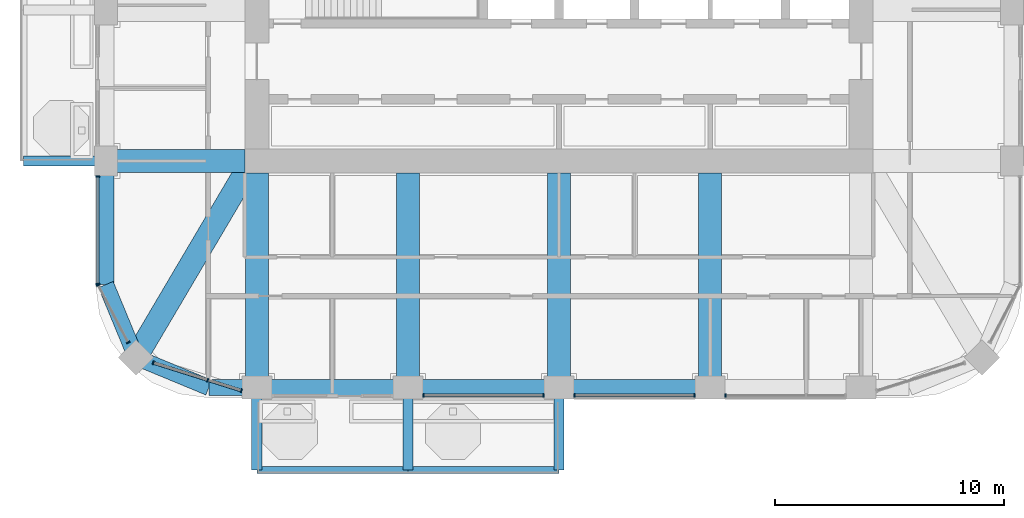
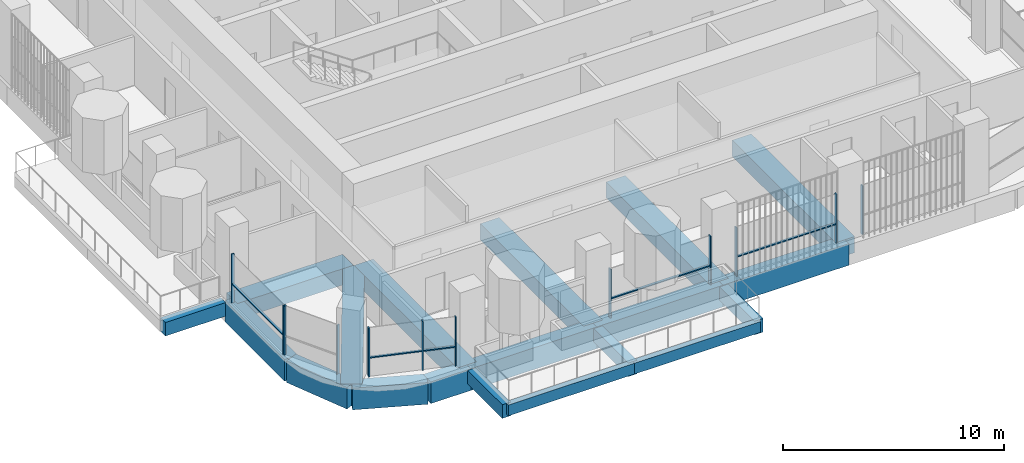
# One storey, part 2 of 19: 19 beams, 17 members, 6 elements without a shape of their own.
"""IFC4 building model written with IfcOpenShell, lengths in metres."""

import ifcopenshell
import ifcopenshell.guid

model = None  # the IFC model being written
_history = None  # IfcOwnerHistory: only IFC2X3 demands one
_inside = {}  # id of a spatial element -> (the spatial element, [elements in it])
_under = {}  # id of a project, library or spatial element -> (it, [spatial elements below it])
_declared = {}  # id of a project -> (the project, [libraries it declares])
_typed = {}  # id of a type object -> (the type object, [elements of that type])
_made_of = {}  # id of a material, layer set ... -> (it, [elements and type objects made of it])


def new_model(schema):
    """Start an empty IFC model of exactly this schema.

    Asked for "IFC4X3", IfcOpenShell would pick the latest addendum, in which some entities
    have other attributes; the version numbers below select the first issue.
    IFC2X3 requires an IfcOwnerHistory on every rooted entity: one is made here for all.
    """
    global model, _history
    if schema == "IFC4X3":
        model = ifcopenshell.file(schema_version=(4, 3, 0, 0))
    else:
        model = ifcopenshell.file(schema=schema)
    _inside.clear()
    _under.clear()
    _declared.clear()
    _typed.clear()
    _made_of.clear()
    _history = None
    if model.schema == "IFC2X3":
        org = make("IfcOrganization", Name="unknown")
        user = make(
            "IfcPersonAndOrganization",
            ThePerson=make("IfcPerson", FamilyName="unknown"),
            TheOrganization=org,
        )
        app = make(
            "IfcApplication",
            ApplicationDeveloper=org,
            Version="unknown",
            ApplicationFullName="unknown",
            ApplicationIdentifier="unknown",
        )
        _history = make(
            "IfcOwnerHistory",
            OwningUser=user,
            OwningApplication=app,
            ChangeAction="ADDED",
            CreationDate=0,
        )
    return model


def make(cls, **values):
    """One entity of the class cls with the attributes given. An attribute that is None is left unset."""
    return model.create_entity(
        cls, **{name: value for name, value in values.items() if value is not None}
    )


def rooted(cls, **values):
    """An entity with a GlobalId (a new one), such as an element, a storey or a relation."""
    return make(cls, GlobalId=ifcopenshell.guid.new(), OwnerHistory=_history, **values)


def si_unit(unit_type, name, prefix=None):
    """IfcSIUnit, for example si_unit("LENGTHUNIT", "METRE", prefix="MILLI")."""
    return make("IfcSIUnit", UnitType=unit_type, Prefix=prefix, Name=name)


def assignment(units):
    """IfcUnitAssignment: the units of a project."""
    return None if units is None else make("IfcUnitAssignment", Units=units)


def point(xyz):
    """IfcCartesianPoint."""
    return None if xyz is None else make("IfcCartesianPoint", Coordinates=xyz)


def direction(xyz):
    """IfcDirection."""
    return None if xyz is None else make("IfcDirection", DirectionRatios=xyz)


def frame(location, z_axis=None, x_axis=None):
    """IfcAxis2Placement3D, a coordinate frame: its origin and axes. An axis left out is left unset."""
    return make(
        "IfcAxis2Placement3D",
        Location=point(location),
        Axis=direction(z_axis),
        RefDirection=direction(x_axis),
    )


def frame_2d(location, x_axis=None):
    """IfcAxis2Placement2D, a coordinate frame in the plane: its origin and x axis."""
    return make(
        "IfcAxis2Placement2D", Location=point(location), RefDirection=direction(x_axis)
    )


def origin():
    """The frame at (0, 0, 0) with its axes left unset."""
    return frame((0.0, 0.0, 0.0))


def origin_2d():
    """The frame at (0, 0) in the plane with its x axis left unset."""
    return frame_2d((0.0, 0.0))


def place(relative_to, where):
    """IfcLocalPlacement: puts the frame where relative to a parent placement (None: the world)."""
    return make(
        "IfcLocalPlacement", PlacementRelTo=relative_to, RelativePlacement=where
    )


def context(
    kind, dimensions, precision=None, world=None, true_north=None, identifier=None
):
    """IfcGeometricRepresentationContext, for example the 3D "Model" context."""
    return make(
        "IfcGeometricRepresentationContext",
        ContextIdentifier=identifier,
        ContextType=kind,
        CoordinateSpaceDimension=dimensions,
        Precision=precision,
        WorldCoordinateSystem=world,
        TrueNorth=true_north,
    )


def subcontext(parent, identifier, kind, view, scale=None):
    """IfcGeometricRepresentationSubContext, for example "Body" below "Model"."""
    return make(
        "IfcGeometricRepresentationSubContext",
        ContextIdentifier=identifier,
        ContextType=kind,
        ParentContext=parent,
        TargetScale=scale,
        TargetView=view,
    )


def project(units=None, contexts=None):
    """IfcProject with its units and contexts."""
    return rooted(
        "IfcProject",
        Name="project",
        RepresentationContexts=contexts,
        UnitsInContext=assignment(units),
    )


def spatial(cls, under=None, at=None, **own):
    """A site, building, storey or space (cls), placed at a placement, below another one or the project."""
    s = rooted(cls, ObjectPlacement=at, **own)
    if under is not None:
        _under.setdefault(under.id(), (under, []))[1].append(s)
    return s


def profile(cls, at=None, kind="AREA", **sizes):
    """A parametric profile (cls). Its sizes go by their IFC names, for example OverallWidth=200.0."""
    return make(cls, ProfileType=kind, Position=at, **sizes)


def rectangle(**sizes):
    """IfcRectangleProfileDef."""
    return profile("IfcRectangleProfileDef", **sizes)


def extrude(swept, where, along, depth):
    """IfcExtrudedAreaSolid: the profile swept, set in the frame where, extruded along a direction by depth."""
    return make(
        "IfcExtrudedAreaSolid",
        SweptArea=swept,
        Position=where,
        ExtrudedDirection=direction(along),
        Depth=depth,
    )


def shape(context_of_items, identifier, shape_type, items):
    """IfcShapeRepresentation: the items that make up one representation, for example the "Body"."""
    return make(
        "IfcShapeRepresentation",
        ContextOfItems=context_of_items,
        RepresentationIdentifier=identifier,
        RepresentationType=shape_type,
        Items=items,
    )


def material(Name=None, Category=None):
    """IfcMaterial."""
    return make("IfcMaterial", Name=Name, Category=Category)


def material_profile(
    of_material, cross_section, Name=None, Category=None, Priority=None
):
    """IfcMaterialProfile: a cross section and its material."""
    return make(
        "IfcMaterialProfile",
        Name=Name,
        Material=of_material,
        Profile=cross_section,
        Priority=Priority,
        Category=Category,
    )


def profile_set(profiles, Name=None, composite=None):
    """IfcMaterialProfileSet."""
    return make(
        "IfcMaterialProfileSet",
        Name=Name,
        MaterialProfiles=profiles,
        CompositeProfile=composite,
    )


def made_of(thing, what):
    """Note that an element or type object is made of a material, layer set ...; save() writes the relation."""
    if what is not None:
        _made_of.setdefault(what.id(), (what, []))[1].append(thing)
    return thing


def type_object(cls, material=None, **own):
    """A type object (cls), such as IfcWallType, which elements share."""
    return made_of(rooted(cls, **own), material)


def element(
    cls,
    number,
    at=None,
    inside=None,
    cuts=None,
    type_object=None,
    material=None,
    context=None,
    identifier="Body",
    shape_type=None,
    held_by="IfcProductDefinitionShape",
    body=None,
    shapes=None,
    **own,
):
    """One element of the class cls, such as IfcWall. Its Tag is "e" and its number.

    at: its placement. inside: the storey or other place that contains it. cuts: it is an
    opening in that element (IfcRelVoidsElement). A single representation is given by context,
    identifier, shape_type and body (its items); several are given by shapes. held_by: the class
    of the entity that holds the representations. save() writes the other relations.
    """
    e = rooted(cls, Tag="e%d" % number, ObjectPlacement=at, **own)
    if body is not None:
        shapes = [shape(context, identifier, shape_type, body)]
    if shapes is not None:
        e.Representation = make(held_by, Representations=shapes)
    if inside is not None:
        _inside.setdefault(inside.id(), (inside, []))[1].append(e)
    if cuts is not None:
        rooted(
            "IfcRelVoidsElement", RelatingBuildingElement=cuts, RelatedOpeningElement=e
        )
    if type_object is not None:
        _typed.setdefault(type_object.id(), (type_object, []))[1].append(e)
    return made_of(e, material)


def aggregate(whole, parts):
    """IfcRelAggregates: a whole, such as a stair, and the parts it consists of."""
    return rooted("IfcRelAggregates", RelatingObject=whole, RelatedObjects=parts)


def save(model, path):
    """Write the relations noted so far, then the file.

    IfcRelAggregates (storeys below a building ...), IfcRelContainedInSpatialStructure (elements
    in a storey), IfcRelDefinesByType, IfcRelAssociatesMaterial and IfcRelDeclares: one each for
    every whole, place, type object, material and project.
    """
    for whole, parts in _under.values():
        aggregate(whole, parts)
    for where, things in _inside.values():
        rooted(
            "IfcRelContainedInSpatialStructure",
            RelatedElements=things,
            RelatingStructure=where,
        )
    for kind, things in _typed.values():
        rooted("IfcRelDefinesByType", RelatedObjects=things, RelatingType=kind)
    for what, things in _made_of.values():
        rooted("IfcRelAssociatesMaterial", RelatedObjects=things, RelatingMaterial=what)
    for by, libraries in _declared.values():
        rooted("IfcRelDeclares", RelatingContext=by, RelatedDefinitions=libraries)
    model.write(path)


model = new_model("IFC4")

# Units and contexts
model_context = context("Model", 3, precision=1e-05, world=origin(), true_north=direction((0.0, 1.0)))
body_context = subcontext(model_context, "Body", "Model", "MODEL_VIEW")
ifc_project = project(units=[si_unit("LENGTHUNIT", "METRE"), si_unit("AREAUNIT", "SQUARE_METRE"), si_unit("VOLUMEUNIT", "CUBIC_METRE"), si_unit("PLANEANGLEUNIT", "RADIAN"), si_unit("MASSUNIT", "GRAM", prefix="KILO")], contexts=[model_context])

# Site, building, storey
site_placement = place(None, origin())
site = spatial("IfcSite", under=ifc_project, at=site_placement, CompositionType="ELEMENT")
building_placement = place(site_placement, origin())
building = spatial("IfcBuilding", under=site, at=building_placement, Name="Cobogo Forest Laboratory Tower", CompositionType="ELEMENT")
storey_placement = place(building_placement, frame((0.0, 0.0, 237.60009765625)))
storey = spatial("IfcBuildingStorey", under=building, at=storey_placement, Name="L54", CompositionType="ELEMENT", Elevation=237.60009765625)

# Beams
ifc_material_1 = material(Name="Concrete HA-40 (C40/50)", Category="concrete")
ifc_material_profile_1 = material_profile(ifc_material_1, rectangle(XDim=0.449951171875, YDim=0.75, at=origin_2d()), Name="RC 450x750")
ifc_profile_set_1 = profile_set([ifc_material_profile_1], Name="Concrete HA-40 (C40/50)")
beam_type_1 = type_object("IfcBeamType", Name="Balcony cantilever beam 450x750", PredefinedType="BEAM", material=ifc_profile_set_1)
for number, where, z_axis, x_axis, name in (
    (1, (13.199951171875, 2.85009765625, -0.625), (0.0, -1.0, 0.0), (1.0, 0.0, 0.0), "CB1 BAL-S1-C1 L54"),
    (2, (19.800048828125, 2.85009765625, -0.625), (0.0, -1.0, 0.0), (1.0, 0.0, 0.0), "CB1 BAL-S1-C2 L54"),
    (3, (26.39990234375, 2.85009765625, -0.625), (0.0, -1.0, 0.0), (1.0, 0.0, 0.0), "CB1 BAL-S1-C3 L54"),
):
    element("IfcBeam", number, at=place(storey_placement, frame(where, z_axis=z_axis, x_axis=x_axis)), inside=storey, type_object=beam_type_1, Name=name, PredefinedType="BEAM", context=body_context, shape_type="SweptSolid", body=[
        extrude(rectangle(XDim=0.449951171875, YDim=0.75, at=origin_2d()), origin(), (0.0, 0.0, 1.0), 3.150146484375),
    ])
beam_1_placement = place(storey_placement, frame((6.14990234375, 13.199951171875, -0.625), z_axis=(-1.0, 0.0, 0.0), x_axis=(0.0, -1.0, 0.0)))
element("IfcBeam", 4, at=beam_1_placement, inside=storey, type_object=beam_type_1, Name="CB1 BAL-W1-C1 L54", PredefinedType="BEAM", context=body_context, shape_type="SweptSolid", body=[
    extrude(rectangle(XDim=0.449951171875, YDim=0.75, at=origin_2d()), origin(), (0.0, 0.0, 1.0), 3.14990234375),
])
ifc_material_profile_2 = material_profile(ifc_material_1, rectangle(XDim=0.300048828125, YDim=0.60009765625, at=origin_2d()), Name="RC 300x600")
ifc_profile_set_2 = profile_set([ifc_material_profile_2], Name="Concrete HA-40 (C40/50)")
beam_type_2 = type_object("IfcBeamType", Name="Balcony edge beam 300x600", PredefinedType="BEAM", material=ifc_profile_set_2)
beam_2_placement = place(storey_placement, frame((13.199951171875, -0.300048828125, -0.550048828125), z_axis=(1.0, 0.0, 0.0), x_axis=(0.0, 1.0, 0.0)))
element("IfcBeam", 5, at=beam_2_placement, inside=storey, type_object=beam_type_2, Name="BB1 BAL-S1-T1 L54", PredefinedType="BEAM", context=body_context, shape_type="SweptSolid", body=[
    extrude(rectangle(XDim=0.300048828125, YDim=0.60009765625, at=origin_2d()), origin(), (0.0, 0.0, 1.0), 6.60009765625),
])
beam_3_placement = place(storey_placement, frame((19.800048828125, -0.300048828125, -0.550048828125), z_axis=(1.0, 0.0, 0.0), x_axis=(0.0, 1.0, 0.0)))
element("IfcBeam", 6, at=beam_3_placement, inside=storey, type_object=beam_type_2, Name="BB1 BAL-S1-T2 L54", PredefinedType="BEAM", context=body_context, shape_type="SweptSolid", body=[
    extrude(rectangle(XDim=0.300048828125, YDim=0.60009765625, at=origin_2d()), origin(), (0.0, 0.0, 1.0), 6.599853515625),
])

# Curtain wall, members
ifc_material_2 = material(Name="Aluminium curtain wall", Category="aluminium")
curtain_wall_type = type_object("IfcCurtainWallType", Name="CW-2 unitised curtain wall, solar control glazing, laboratory floors zones C and D", PredefinedType="USERDEFINED", material=ifc_material_2)
curtain_wall_1_placement = place(storey_placement, origin())
curtain_wall_1 = element("IfcCurtainWall", 7, at=curtain_wall_1_placement, inside=storey, type_object=curtain_wall_type, Name="Curtain wall 02 L54", ObjectType="UNITISED CURTAIN WALL", PredefinedType="USERDEFINED")
ifc_material_3 = material(Name="Aluminium mullion", Category="aluminium")
ifc_material_profile_3 = material_profile(ifc_material_3, rectangle(XDim=0.06005859375, YDim=0.159912109375, at=origin_2d()), Name="AL 60x160")
ifc_profile_set_3 = profile_set([ifc_material_profile_3], Name="Aluminium mullion")
member_type_1 = type_object("IfcMemberType", Name="MU-1 aluminium mullion 60x160", PredefinedType="MULLION", material=ifc_profile_set_3)
member_1_placement = place(storey_placement, frame((20.47998046875, 2.949951171875, 0.0), z_axis=(0.0, 0.0, 1.0), x_axis=(1.0, 0.0, 0.0)))
member_1 = element("IfcMember", 8, at=member_1_placement, type_object=member_type_1, Name="CW-2 mullion 1", PredefinedType="MULLION", context=body_context, shape_type="SweptSolid", body=[
    extrude(rectangle(XDim=0.06005859375, YDim=0.159912109375, at=origin_2d()), origin(), (0.0, 0.0, 1.0), 2.699951171875),
])
member_2_placement = place(storey_placement, frame((25.719970703125, 2.949951171875, 0.0), z_axis=(0.0, 0.0, 1.0), x_axis=(1.0, 0.0, 0.0)))
member_2 = element("IfcMember", 9, at=member_2_placement, type_object=member_type_1, Name="CW-2 mullion 2", PredefinedType="MULLION", context=body_context, shape_type="SweptSolid", body=[
    extrude(rectangle(XDim=0.06005859375, YDim=0.159912109375, at=origin_2d()), origin(), (0.0, 0.0, 1.0), 2.699951171875),
])

curtain_wall_2_placement = place(storey_placement, origin())
curtain_wall_2 = element("IfcCurtainWall", 10, at=curtain_wall_2_placement, inside=storey, type_object=curtain_wall_type, Name="Curtain wall 03 L54", ObjectType="UNITISED CURTAIN WALL", PredefinedType="USERDEFINED")
member_3_placement = place(storey_placement, frame((27.080078125, 2.949951171875, 0.0), z_axis=(0.0, 0.0, 1.0), x_axis=(1.0, 0.0, 0.0)))
member_3 = element("IfcMember", 11, at=member_3_placement, type_object=member_type_1, Name="CW-2 mullion 1", PredefinedType="MULLION", context=body_context, shape_type="SweptSolid", body=[
    extrude(rectangle(XDim=0.06005859375, YDim=0.159912109375, at=origin_2d()), origin(), (0.0, 0.0, 1.0), 2.699951171875),
])
member_4_placement = place(storey_placement, frame((32.320068359375, 2.949951171875, 0.0), z_axis=(0.0, 0.0, 1.0), x_axis=(1.0, 0.0, 0.0)))
member_4 = element("IfcMember", 12, at=member_4_placement, type_object=member_type_1, Name="CW-2 mullion 2", PredefinedType="MULLION", context=body_context, shape_type="SweptSolid", body=[
    extrude(rectangle(XDim=0.06005859375, YDim=0.159912109375, at=origin_2d()), origin(), (0.0, 0.0, 1.0), 2.699951171875),
])

# Curtain wall, member
curtain_wall_3_placement = place(storey_placement, origin())
curtain_wall_3 = element("IfcCurtainWall", 13, at=curtain_wall_3_placement, inside=storey, type_object=curtain_wall_type, Name="Curtain wall 04 L54", ObjectType="UNITISED CURTAIN WALL", PredefinedType="USERDEFINED")
member_5_placement = place(storey_placement, frame((33.679931640625, 2.949951171875, 0.0), z_axis=(0.0, 0.0, 1.0), x_axis=(1.0, 0.0, 0.0)))
member_5 = element("IfcMember", 14, at=member_5_placement, type_object=member_type_1, Name="CW-2 mullion 1", PredefinedType="MULLION", context=body_context, shape_type="SweptSolid", body=[
    extrude(rectangle(XDim=0.06005859375, YDim=0.159912109375, at=origin_2d()), origin(), (0.0, 0.0, 1.0), 2.699951171875),
])
aggregate(curtain_wall_3, [member_5])

# Curtain wall, members
curtain_wall_4_placement = place(storey_placement, origin())
curtain_wall_4 = element("IfcCurtainWall", 15, at=curtain_wall_4_placement, inside=storey, type_object=curtain_wall_type, Name="Curtain wall 24 L54", ObjectType="UNITISED CURTAIN WALL", PredefinedType="USERDEFINED")
member_6_placement = place(storey_placement, frame((6.25, 12.52001953125, 0.0), z_axis=(0.0, 0.0, 1.0), x_axis=(0.0, -1.0, 0.0)))
member_6 = element("IfcMember", 16, at=member_6_placement, type_object=member_type_1, Name="CW-2 mullion 1", PredefinedType="MULLION", context=body_context, shape_type="SweptSolid", body=[
    extrude(rectangle(XDim=0.06005859375, YDim=0.159912109375, at=origin_2d()), origin(), (0.0, 0.0, 1.0), 2.699951171875),
])
member_7_placement = place(storey_placement, frame((6.25, 7.830078125, 0.0), z_axis=(0.0, 0.0, 1.0), x_axis=(0.0, -1.0, 0.0)))
member_7 = element("IfcMember", 17, at=member_7_placement, type_object=member_type_1, Name="CW-2 mullion 2", PredefinedType="MULLION", context=body_context, shape_type="SweptSolid", body=[
    extrude(rectangle(XDim=0.06005859375, YDim=0.159912109375, at=origin_2d()), origin(), (0.0, 0.0, 1.0), 2.699951171875),
])

curtain_wall_5_placement = place(storey_placement, origin())
curtain_wall_5 = element("IfcCurtainWall", 18, at=curtain_wall_5_placement, inside=storey, type_object=curtain_wall_type, Name="Curtain wall 25 L54", ObjectType="UNITISED CURTAIN WALL", PredefinedType="USERDEFINED")
member_8_placement = place(storey_placement, frame((6.263916015625, 7.7734375, 0.0), z_axis=(0.0, 0.0, 1.0), x_axis=(0.464283804832, -0.885686484356, 0.0)))
member_8 = element("IfcMember", 19, at=member_8_placement, type_object=member_type_1, Name="CW-2 mullion 1", PredefinedType="MULLION", context=body_context, shape_type="SweptSolid", body=[
    extrude(rectangle(XDim=0.06005859375, YDim=0.159912109375, at=origin_2d()), origin(), (0.0, 0.0, 1.0), 2.699951171875),
])
member_9_placement = place(storey_placement, frame((7.5732421875, 5.275634765625, 0.0), z_axis=(0.0, 0.0, 1.0), x_axis=(0.464283804832, -0.885686484356, 0.0)))
member_9 = element("IfcMember", 20, at=member_9_placement, type_object=member_type_1, Name="CW-2 mullion 2", PredefinedType="MULLION", context=body_context, shape_type="SweptSolid", body=[
    extrude(rectangle(XDim=0.06005859375, YDim=0.159912109375, at=origin_2d()), origin(), (0.0, 0.0, 1.0), 2.699951171875),
])
aggregate(curtain_wall_5, [member_8, member_9])

curtain_wall_6_placement = place(storey_placement, origin())
curtain_wall_6 = element("IfcCurtainWall", 21, at=curtain_wall_6_placement, inside=storey, type_object=curtain_wall_type, Name="Curtain wall 26 L54", ObjectType="UNITISED CURTAIN WALL", PredefinedType="USERDEFINED")
member_10_placement = place(storey_placement, frame((8.677490234375, 4.378173828125, 0.0), z_axis=(0.0, 0.0, 1.0), x_axis=(0.953581331491, -0.301135591107, 0.0)))
member_10 = element("IfcMember", 22, at=member_10_placement, type_object=member_type_1, Name="CW-2 mullion 1", PredefinedType="MULLION", context=body_context, shape_type="SweptSolid", body=[
    extrude(rectangle(XDim=0.06005859375, YDim=0.159912109375, at=origin_2d()), origin(), (0.0, 0.0, 1.0), 2.699951171875),
])
member_11_placement = place(storey_placement, frame((11.051025390625, 3.628662109375, 0.0), z_axis=(0.0, 0.0, 1.0), x_axis=(0.953581331491, -0.301135591107, 0.0)))
member_11 = element("IfcMember", 23, at=member_11_placement, type_object=member_type_1, Name="CW-2 mullion 2", PredefinedType="MULLION", context=body_context, shape_type="SweptSolid", body=[
    extrude(rectangle(XDim=0.06005859375, YDim=0.159912109375, at=origin_2d()), origin(), (0.0, 0.0, 1.0), 2.699951171875),
])
member_12_placement = place(storey_placement, frame((12.521484375, 3.164306640625, 0.0), z_axis=(0.0, 0.0, 1.0), x_axis=(0.953581331491, -0.301135591107, 0.0)))
member_12 = element("IfcMember", 24, at=member_12_placement, type_object=member_type_1, Name="CW-2 mullion 3", PredefinedType="MULLION", context=body_context, shape_type="SweptSolid", body=[
    extrude(rectangle(XDim=0.06005859375, YDim=0.159912109375, at=origin_2d()), origin(), (0.0, 0.0, 1.0), 2.699951171875),
])

# Beams
ifc_material_profile_4 = material_profile(ifc_material_1, rectangle(XDim=1.0, YDim=0.89990234375, at=origin_2d()), Name="RC 1000x900")
ifc_profile_set_4 = profile_set([ifc_material_profile_4], Name="Concrete HA-40 (C40/50)")
beam_type_3 = type_object("IfcBeamType", Name="Office floor wide beam 1000x900", PredefinedType="BEAM", material=ifc_profile_set_4)
for number, where, z_axis, x_axis, name in (
    (25, (13.199951171875, 12.675048828125, -0.75), (0.0, -1.0, 0.0), (1.0, 0.0, 0.0), "RB2 R-3-S L54"),
    (26, (19.800048828125, 12.675048828125, -0.75), (0.0, -1.0, 0.0), (1.0, 0.0, 0.0), "RB2 R-4-S L54"),
    (27, (26.39990234375, 12.675048828125, -0.75), (0.0, -1.0, 0.0), (1.0, 0.0, 0.0), "RB2 R-5-S L54"),
    (28, (33.0, 12.675048828125, -0.75), (0.0, -1.0, 0.0), (1.0, 0.0, 0.0), "RB2 R-6-S L54"),
):
    element("IfcBeam", number, at=place(storey_placement, frame(where, z_axis=z_axis, x_axis=x_axis)), inside=storey, type_object=beam_type_3, Name=name, PredefinedType="BEAM", context=body_context, shape_type="SweptSolid", body=[
        extrude(rectangle(XDim=1.0, YDim=0.89990234375, at=origin_2d()), origin(), (0.0, 0.0, 1.0), 9.375),
    ])
beam_4_placement = place(storey_placement, frame((12.675048828125, 13.199951171875, -0.75), z_axis=(-1.0, 0.0, 0.0), x_axis=(0.0, -1.0, 0.0)))
element("IfcBeam", 29, at=beam_4_placement, inside=storey, type_object=beam_type_3, Name="RB2 R-C-W L54", PredefinedType="BEAM", context=body_context, shape_type="SweptSolid", body=[
    extrude(rectangle(XDim=1.0, YDim=0.89990234375, at=origin_2d()), origin(), (0.0, 0.0, 1.0), 6.074951171875),
])
beam_5_placement = place(storey_placement, frame((7.91796875, 4.617919921875, -0.75), z_axis=(0.508416325908, 0.861111397875, 0.0), x_axis=(-0.861111397875, 0.508416325908, 0.0)))
element("IfcBeam", 30, at=beam_5_placement, inside=storey, type_object=beam_type_3, Name="RB2 G-SW-D1 L54", PredefinedType="BEAM", context=body_context, shape_type="SweptSolid", body=[
    extrude(rectangle(XDim=1.0, YDim=0.89990234375, at=origin_2d()), origin(), (0.0, 0.0, 1.0), 9.356689453125),
])
ifc_material_profile_5 = material_profile(ifc_material_1, rectangle(XDim=0.699951171875, YDim=1.199951171875, at=origin_2d()), Name="RC 700x1200")
ifc_profile_set_5 = profile_set([ifc_material_profile_5], Name="Concrete HA-40 (C40/50)")
beam_type_4 = type_object("IfcBeamType", Name="Perimeter edge beam 700x1200", PredefinedType="BEAM", material=ifc_profile_set_5)
beam_6_placement = place(storey_placement, frame((13.199951171875, 3.300048828125, -0.900146484375), z_axis=(1.0, 0.0, 0.0), x_axis=(0.0, 1.0, 0.0)))
element("IfcBeam", 31, at=beam_6_placement, inside=storey, type_object=beam_type_4, Name="EB1 E-S1 L54", PredefinedType="BEAM", context=body_context, shape_type="SweptSolid", body=[
    extrude(rectangle(XDim=0.699951171875, YDim=1.199951171875, at=origin_2d()), origin(), (0.0, 0.0, 1.0), 6.60009765625),
])
beam_7_placement = place(storey_placement, frame((19.800048828125, 3.300048828125, -0.900146484375), z_axis=(1.0, 0.0, 0.0), x_axis=(0.0, 1.0, 0.0)))
element("IfcBeam", 32, at=beam_7_placement, inside=storey, type_object=beam_type_4, Name="EB1 E-S2 L54", PredefinedType="BEAM", context=body_context, shape_type="SweptSolid", body=[
    extrude(rectangle(XDim=0.699951171875, YDim=1.199951171875, at=origin_2d()), origin(), (0.0, 0.0, 1.0), 6.599853515625),
])
beam_8_placement = place(storey_placement, frame((26.39990234375, 3.300048828125, -0.900146484375), z_axis=(1.0, 0.0, 0.0), x_axis=(0.0, 1.0, 0.0)))
element("IfcBeam", 33, at=beam_8_placement, inside=storey, type_object=beam_type_4, Name="EB1 E-S3 L54", PredefinedType="BEAM", context=body_context, shape_type="SweptSolid", body=[
    extrude(rectangle(XDim=0.699951171875, YDim=1.199951171875, at=origin_2d()), origin(), (0.0, 0.0, 1.0), 6.60009765625),
])
beam_9_placement = place(storey_placement, frame((13.199951171875, 3.300048828125, -0.900146484375), z_axis=(-1.0, 0.0, 0.0), x_axis=(0.0, -1.0, 0.0)))
element("IfcBeam", 34, at=beam_9_placement, inside=storey, type_object=beam_type_4, Name="EB1 E-SWS1 L54", PredefinedType="BEAM", context=body_context, shape_type="SweptSolid", body=[
    extrude(rectangle(XDim=0.699951171875, YDim=1.199951171875, at=origin_2d()), origin(), (0.0, 0.0, 1.0), 2.099853515625),
])
beam_10_placement = place(storey_placement, frame((11.10009765625, 3.300048828125, -0.900146484375), z_axis=(-0.923901072997, 0.382631424892, 0.0), x_axis=(-0.382631424892, -0.923901072997, 0.0)))
element("IfcBeam", 35, at=beam_10_placement, inside=storey, type_object=beam_type_4, Name="EB1 E-SWS2 L54", PredefinedType="BEAM", context=body_context, shape_type="SweptSolid", body=[
    extrude(rectangle(XDim=0.699951171875, YDim=1.199951171875, at=origin_2d()), origin(), (0.0, 0.0, 1.0), 3.4443359375),
])
beam_11_placement = place(storey_placement, frame((6.60009765625, 13.199951171875, -0.900146484375), z_axis=(0.0, -1.0, 0.0), x_axis=(1.0, 0.0, 0.0)))
element("IfcBeam", 36, at=beam_11_placement, inside=storey, type_object=beam_type_4, Name="EB1 E-SWW1 L54", PredefinedType="BEAM", context=body_context, shape_type="SweptSolid", body=[
    extrude(rectangle(XDim=0.699951171875, YDim=1.199951171875, at=origin_2d()), origin(), (0.0, 0.0, 1.0), 5.39990234375),
])
beam_12_placement = place(storey_placement, frame((6.60009765625, 7.800048828125, -0.900146484375), z_axis=(0.382631424892, -0.923901072997, 0.0), x_axis=(0.923901072997, 0.382631424892, 0.0)))
element("IfcBeam", 37, at=beam_12_placement, inside=storey, type_object=beam_type_4, Name="EB1 E-SWW2 L54", PredefinedType="BEAM", context=body_context, shape_type="SweptSolid", body=[
    extrude(rectangle(XDim=0.699951171875, YDim=1.199951171875, at=origin_2d()), origin(), (0.0, 0.0, 1.0), 3.4443359375),
])

# Member
ifc_material_4 = material(Name="Aluminium transom", Category="aluminium")
ifc_material_profile_6 = material_profile(ifc_material_4, rectangle(XDim=0.1201171875, YDim=0.06005859375, at=origin_2d()), Name="AL 60x120")
ifc_profile_set_6 = profile_set([ifc_material_profile_6], Name="Aluminium transom")
member_type_2 = type_object("IfcMemberType", Name="TR-1 aluminium transom 60x120", PredefinedType="USERDEFINED", material=ifc_profile_set_6)
member_13_placement = place(storey_placement, frame((20.510009765625, 2.949951171875, 1.0498046875), z_axis=(1.0, 0.0, 0.0), x_axis=(0.0, 1.0, 0.0)))
member_13 = element("IfcMember", 38, at=member_13_placement, type_object=member_type_2, Name="CW-2 transom 1.1", ObjectType="TRANSOM", PredefinedType="USERDEFINED", context=body_context, shape_type="SweptSolid", body=[
    extrude(rectangle(XDim=0.1201171875, YDim=0.06005859375, at=origin_2d()), origin(), (0.0, 0.0, 1.0), 5.179931640625),
])

aggregate(curtain_wall_1, [member_1, member_2, member_13])

member_14_placement = place(storey_placement, frame((27.110107421875, 2.949951171875, 1.0498046875), z_axis=(1.0, 0.0, 0.0), x_axis=(0.0, 1.0, 0.0)))
member_14 = element("IfcMember", 39, at=member_14_placement, type_object=member_type_2, Name="CW-2 transom 1.1", ObjectType="TRANSOM", PredefinedType="USERDEFINED", context=body_context, shape_type="SweptSolid", body=[
    extrude(rectangle(XDim=0.1201171875, YDim=0.06005859375, at=origin_2d()), origin(), (0.0, 0.0, 1.0), 5.179931640625),
])

aggregate(curtain_wall_2, [member_3, member_4, member_14])

member_15_placement = place(storey_placement, frame((6.25, 12.489990234375, 1.0498046875), z_axis=(0.0, -1.0, 0.0), x_axis=(1.0, 0.0, 0.0)))
member_15 = element("IfcMember", 40, at=member_15_placement, type_object=member_type_2, Name="CW-2 transom 1.1", ObjectType="TRANSOM", PredefinedType="USERDEFINED", context=body_context, shape_type="SweptSolid", body=[
    extrude(rectangle(XDim=0.1201171875, YDim=0.06005859375, at=origin_2d()), origin(), (0.0, 0.0, 1.0), 4.6298828125),
])

aggregate(curtain_wall_4, [member_6, member_7, member_15])

member_16_placement = place(storey_placement, frame((8.7060546875, 4.369140625, 1.0498046875), z_axis=(0.953579626869, -0.301140988943, 0.0), x_axis=(0.301140988943, 0.953579626869, 0.0)))
member_16 = element("IfcMember", 41, at=member_16_placement, type_object=member_type_2, Name="CW-2 transom 1.1", ObjectType="TRANSOM", PredefinedType="USERDEFINED", context=body_context, shape_type="SweptSolid", body=[
    extrude(rectangle(XDim=0.1201171875, YDim=0.06005859375, at=origin_2d()), origin(), (0.0, 0.0, 1.0), 2.428955078125),
])

member_17_placement = place(storey_placement, frame((11.07958984375, 3.61962890625, 1.0498046875), z_axis=(0.953572704918, -0.301162906805, 0.0), x_axis=(0.301162906805, 0.953572704918, 0.0)))
member_17 = element("IfcMember", 42, at=member_17_placement, type_object=member_type_2, Name="CW-2 transom 2.1", ObjectType="TRANSOM", PredefinedType="USERDEFINED", context=body_context, shape_type="SweptSolid", body=[
    extrude(rectangle(XDim=0.1201171875, YDim=0.06005859375, at=origin_2d()), origin(), (0.0, 0.0, 1.0), 1.48193359375),
])

aggregate(curtain_wall_6, [member_10, member_11, member_12, member_16, member_17])

save(model, "model.ifc")
